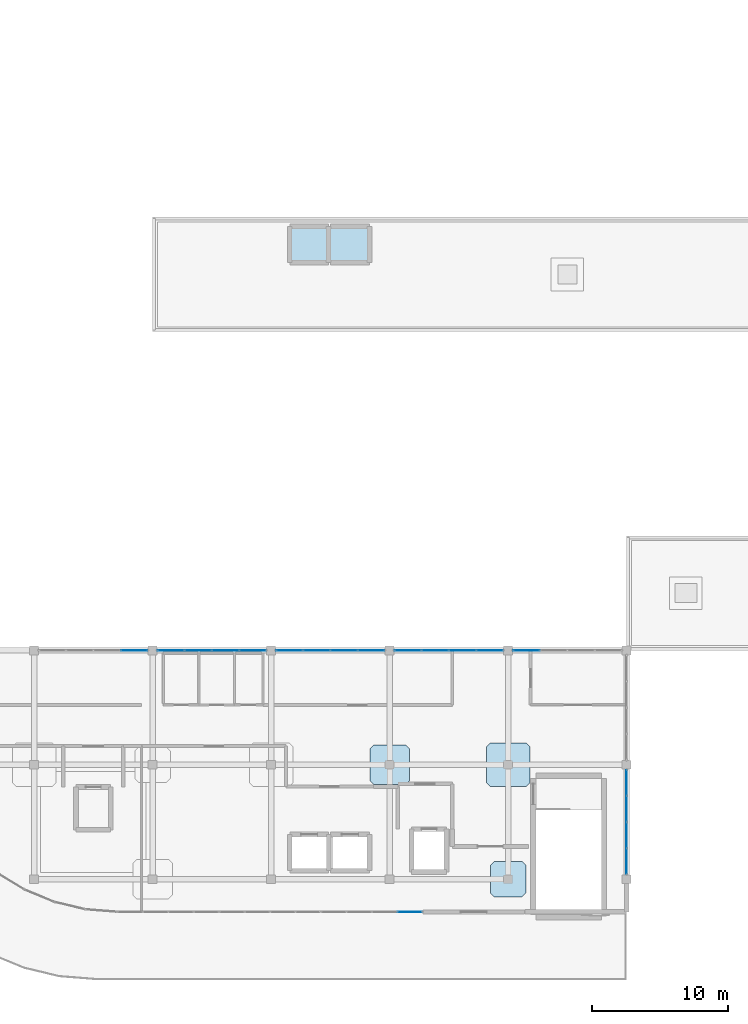
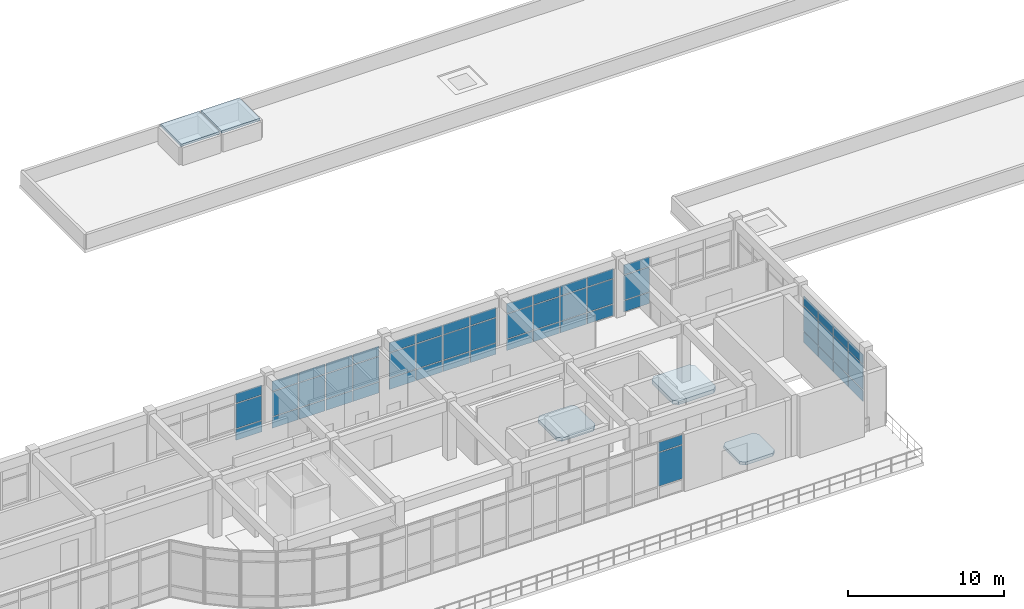
# One storey, part 33 of 41: 56 plates, 5 slabs, 7 elements without a shape of their own.
"""IFC4 building model written with IfcOpenShell, lengths in metres."""

from ifc_helpers import new_model, si_unit, derived_unit, direction, frame, origin, origin_2d, place, context, subcontext, project, spatial, polyline, rectangle, outline, extrude, material, layer, layer_set, type_object, element, aggregate, save


model = new_model("IFC4")

# Units and contexts
model_context = context("Model", 3, precision=1e-05, world=origin(), true_north=direction((0.0, 1.0)))
body_context = subcontext(model_context, "Body", "Model", "MODEL_VIEW")
ifc_project = project(units=[si_unit("LENGTHUNIT", "METRE"), si_unit("AREAUNIT", "SQUARE_METRE"), si_unit("VOLUMEUNIT", "CUBIC_METRE"), si_unit("PLANEANGLEUNIT", "RADIAN"), si_unit("MASSUNIT", "GRAM", prefix="KILO"), derived_unit("THERMALTRANSMITTANCEUNIT", [(si_unit("MASSUNIT", "GRAM", prefix="KILO"), 1), (si_unit("TIMEUNIT", "SECOND"), -3), (si_unit("THERMODYNAMICTEMPERATUREUNIT", "KELVIN"), -1)])], contexts=[model_context])

# Site, building, storey
site_placement = place(None, origin())
site = spatial("IfcSite", under=ifc_project, at=site_placement, CompositionType="ELEMENT")
building_placement = place(site_placement, origin())
building = spatial("IfcBuilding", under=site, at=building_placement, Name="Qinzheling Arcade Emporium", CompositionType="ELEMENT")
storey_placement = place(building_placement, frame((0.0, 0.0, 36.300048828125)))
storey = spatial("IfcBuildingStorey", under=building, at=storey_placement, Name="L08", CompositionType="ELEMENT", Elevation=36.300048828125)

# Slabs
ifc_material_1 = material(Name="Concrete C40", Category="concrete")
ifc_layer_1 = layer(ifc_material_1, 0.235107421875, Name="Concrete C40", Category="concrete")
ifc_layer_set_1 = layer_set([ifc_layer_1], Name="Concrete C40")
slab_type_1 = type_object("IfcSlabType", Name="Column Head Drop Panel 2600x2600x235 C40", PredefinedType="USERDEFINED", material=ifc_layer_set_1)
slab_1_placement = place(storey_placement, frame((0.0, 0.0, -0.51513671875)))
element("IfcSlab", 1, at=slab_1_placement, inside=storey, type_object=slab_type_1, Name="Column Drop Panel DP-L08-8-D", ObjectType="DROP_PANEL", PredefinedType="USERDEFINED", context=body_context, shape_type="SweptSolid", body=[
    extrude(outline(polyline([(59.8798828125, 23.89990234375), (61.919921875, 23.89990234375), (62.199951171875, 24.179931640625), (62.199951171875, 26.219970703125), (61.919921875, 26.5), (59.8798828125, 26.5), (59.60009765625, 26.219970703125), (59.60009765625, 24.179931640625), (59.8798828125, 23.89990234375)])), origin(), (0.0, 0.0, 1.0), 0.235107421875),
])
ifc_layer_2 = layer(ifc_material_1, 0.27001953125, Name="Concrete C40", Category="concrete")
ifc_layer_set_2 = layer_set([ifc_layer_2], Name="Concrete C40")
slab_type_2 = type_object("IfcSlabType", Name="Column Head Drop Panel 2900x2900x270 C40", PredefinedType="USERDEFINED", material=ifc_layer_set_2)
slab_2_placement = place(storey_placement, frame((0.0, 0.0, -0.550048828125)))
element("IfcSlab", 2, at=slab_2_placement, inside=storey, type_object=slab_type_2, Name="Column Drop Panel DP-L08-7-E", ObjectType="DROP_PANEL", PredefinedType="USERDEFINED", context=body_context, shape_type="SweptSolid", body=[
    extrude(outline(polyline([(51.030029296875, 32.14990234375), (53.3701171875, 32.14990234375), (53.64990234375, 32.429931640625), (53.64990234375, 34.77001953125), (53.3701171875, 35.050048828125), (51.030029296875, 35.050048828125), (50.75, 34.77001953125), (50.75, 32.429931640625), (51.030029296875, 32.14990234375)])), origin(), (0.0, 0.0, 1.0), 0.27001953125),
])
ifc_layer_3 = layer(ifc_material_1, 0.300048828125, Name="Concrete C40", Category="concrete")
ifc_layer_set_3 = layer_set([ifc_layer_3], Name="Concrete C40")
slab_type_3 = type_object("IfcSlabType", Name="Column Head Drop Panel 3200x3200x300 C40", PredefinedType="USERDEFINED", material=ifc_layer_set_3)
slab_3_placement = place(storey_placement, frame((0.0, 0.0, -0.580078125)))
element("IfcSlab", 3, at=slab_3_placement, inside=storey, type_object=slab_type_3, Name="Column Drop Panel DP-L08-8-E", ObjectType="DROP_PANEL", PredefinedType="USERDEFINED", context=body_context, shape_type="SweptSolid", body=[
    extrude(outline(polyline([(59.580078125, 32.0), (62.219970703125, 32.0), (62.5, 32.280029296875), (62.5, 34.919921875), (62.219970703125, 35.199951171875), (59.580078125, 35.199951171875), (59.300048828125, 34.919921875), (59.300048828125, 32.280029296875), (59.580078125, 32.0)])), origin(), (0.0, 0.0, 1.0), 0.300048828125),
])
ifc_layer_4 = layer(ifc_material_1, 0.18994140625, Name="Concrete C40", Category="concrete")
ifc_layer_set_4 = layer_set([ifc_layer_4], Name="Concrete C40")
slab_type_4 = type_object("IfcSlabType", Name="Lift Overrun Roof Slab 190 C40", PredefinedType="ROOF", material=ifc_layer_set_4)
slab_4_placement = place(storey_placement, frame((0.0, 0.0, 1.5)))
element("IfcSlab", 4, at=slab_4_placement, inside=storey, type_object=slab_type_4, Name="Lift Overrun Roof SLB-OVR-LP03", PredefinedType="ROOF", context=body_context, shape_type="SweptSolid", body=[
    extrude(outline(polyline([(44.875, 70.47509765625), (47.72509765625, 70.47509765625), (47.72509765625, 73.125), (44.875, 73.125), (44.875, 70.47509765625)])), origin(), (0.0, 0.0, 1.0), 0.18994140625),
])
slab_5_placement = place(storey_placement, frame((0.0, 0.0, 1.5)))
element("IfcSlab", 5, at=slab_5_placement, inside=storey, type_object=slab_type_4, Name="Lift Overrun Roof SLB-OVR-LP04", PredefinedType="ROOF", context=body_context, shape_type="SweptSolid", body=[
    extrude(outline(polyline([(47.875, 70.47509765625), (50.72509765625, 70.47509765625), (50.72509765625, 73.125), (47.875, 73.125), (47.875, 70.47509765625)])), origin(), (0.0, 0.0, 1.0), 0.18994140625),
])

# Curtain wall, plates
ifc_material_2 = material(Name="Anodised aluminium and solar-control double glazing", Category="aluminium")
ifc_layer_5 = layer(ifc_material_2, 0.159912109375, Name="Anodised aluminium and solar-control double glazing", Category="aluminium")
ifc_layer_set_5 = layer_set([ifc_layer_5], Name="Anodised aluminium and solar-control double glazing")
curtain_wall_type_1 = type_object("IfcCurtainWallType", Name="Atrium Clerestory Curtain Wall", PredefinedType="NOTDEFINED", material=ifc_layer_set_5)
curtain_wall_1_placement = place(storey_placement, origin())
curtain_wall_1 = element("IfcCurtainWall", 6, at=curtain_wall_1_placement, inside=storey, type_object=curtain_wall_type_1, Name="Curtain Wall CW-L08-463", PredefinedType="NOTDEFINED")
ifc_material_3 = material(Name="Laminated solar-control double glazing", Category="glass")
ifc_layer_6 = layer(ifc_material_3, 0.028076171875, Name="Laminated solar-control double glazing", Category="glass")
ifc_layer_set_6 = layer_set([ifc_layer_6], Name="Laminated solar-control double glazing")
plate_type_1 = type_object("IfcPlateType", Name="Low-E Double Glazed Curtain Panel 28mm", PredefinedType="CURTAIN_PANEL", material=ifc_layer_set_6)
plate_1_placement = place(storey_placement, frame((33.4521484375, 42.0, 0.06005859375), z_axis=(0.0, 0.0, 1.0), x_axis=(1.0, 0.0, 0.0)))
plate_1 = element("IfcPlate", 7, at=plate_1_placement, type_object=plate_type_1, Name="CW03 panel 4.1", PredefinedType="CURTAIN_PANEL", context=body_context, shape_type="SweptSolid", body=[
    extrude(rectangle(XDim=1.92138671875, YDim=0.028076171875, at=origin_2d()), origin(), (0.0, 0.0, 1.0), 0.860107421875),
])
plate_2_placement = place(storey_placement, frame((33.4521484375, 42.0, 0.97998046875), z_axis=(0.0, 0.0, 1.0), x_axis=(1.0, 0.0, 0.0)))
plate_2 = element("IfcPlate", 8, at=plate_2_placement, type_object=plate_type_1, Name="CW03 panel 4.2", PredefinedType="CURTAIN_PANEL", context=body_context, shape_type="SweptSolid", body=[
    extrude(rectangle(XDim=1.92138671875, YDim=0.028076171875, at=origin_2d()), origin(), (0.0, 0.0, 1.0), 1.93505859375),
])
plate_3_placement = place(storey_placement, frame((33.4521484375, 42.0, 2.97509765625), z_axis=(0.0, 0.0, 1.0), x_axis=(1.0, 0.0, 0.0)))
plate_3 = element("IfcPlate", 9, at=plate_3_placement, type_object=plate_type_1, Name="CW03 panel 4.3", PredefinedType="CURTAIN_PANEL", context=body_context, shape_type="SweptSolid", body=[
    extrude(rectangle(XDim=1.92138671875, YDim=0.028076171875, at=origin_2d()), origin(), (0.0, 0.0, 1.0), 0.760009765625),
])
aggregate(curtain_wall_1, [plate_1, plate_2, plate_3])

curtain_wall_2_placement = place(storey_placement, origin())
curtain_wall_2 = element("IfcCurtainWall", 10, at=curtain_wall_2_placement, inside=storey, type_object=curtain_wall_type_1, Name="Curtain Wall CW-L08-464", PredefinedType="NOTDEFINED")
ifc_layer_7 = layer(ifc_material_3, 0.029052734375, Name="Laminated solar-control double glazing", Category="glass")
ifc_layer_set_7 = layer_set([ifc_layer_7], Name="Laminated solar-control double glazing")
plate_type_2 = type_object("IfcPlateType", Name="Low-E Double Glazed Curtain Panel 29mm", PredefinedType="CURTAIN_PANEL", material=ifc_layer_set_7)
plate_4_placement = place(storey_placement, frame((36.147705078125, 42.0, 0.06005859375), z_axis=(0.0, 0.0, 1.0), x_axis=(1.0, 0.0, 0.0)))
plate_4 = element("IfcPlate", 11, at=plate_4_placement, type_object=plate_type_2, Name="CW03 panel 1.1", PredefinedType="CURTAIN_PANEL", context=body_context, shape_type="SweptSolid", body=[
    extrude(rectangle(XDim=1.92138671875, YDim=0.029052734375, at=origin_2d()), origin(), (0.0, 0.0, 1.0), 0.860107421875),
])
plate_5_placement = place(storey_placement, frame((36.147705078125, 42.0, 0.97998046875), z_axis=(0.0, 0.0, 1.0), x_axis=(1.0, 0.0, 0.0)))
plate_5 = element("IfcPlate", 12, at=plate_5_placement, type_object=plate_type_2, Name="CW03 panel 1.2", PredefinedType="CURTAIN_PANEL", context=body_context, shape_type="SweptSolid", body=[
    extrude(rectangle(XDim=1.92138671875, YDim=0.029052734375, at=origin_2d()), origin(), (0.0, 0.0, 1.0), 1.93505859375),
])
plate_6_placement = place(storey_placement, frame((36.147705078125, 42.0, 2.97509765625), z_axis=(0.0, 0.0, 1.0), x_axis=(1.0, 0.0, 0.0)))
plate_6 = element("IfcPlate", 13, at=plate_6_placement, type_object=plate_type_2, Name="CW03 panel 1.3", PredefinedType="CURTAIN_PANEL", context=body_context, shape_type="SweptSolid", body=[
    extrude(rectangle(XDim=1.92138671875, YDim=0.029052734375, at=origin_2d()), origin(), (0.0, 0.0, 1.0), 0.760009765625),
])
plate_7_placement = place(storey_placement, frame((38.144287109375, 42.0, 0.06005859375), z_axis=(0.0, 0.0, 1.0), x_axis=(1.0, 0.0, 0.0)))
plate_7 = element("IfcPlate", 14, at=plate_7_placement, type_object=plate_type_2, Name="CW03 panel 2.1", PredefinedType="CURTAIN_PANEL", context=body_context, shape_type="SweptSolid", body=[
    extrude(rectangle(XDim=1.951416015625, YDim=0.029052734375, at=origin_2d()), origin(), (0.0, 0.0, 1.0), 0.860107421875),
])
plate_8_placement = place(storey_placement, frame((38.144287109375, 42.0, 0.97998046875), z_axis=(0.0, 0.0, 1.0), x_axis=(1.0, 0.0, 0.0)))
plate_8 = element("IfcPlate", 15, at=plate_8_placement, type_object=plate_type_2, Name="CW03 panel 2.2", PredefinedType="CURTAIN_PANEL", context=body_context, shape_type="SweptSolid", body=[
    extrude(rectangle(XDim=1.951416015625, YDim=0.029052734375, at=origin_2d()), origin(), (0.0, 0.0, 1.0), 1.93505859375),
])
plate_9_placement = place(storey_placement, frame((38.144287109375, 42.0, 2.97509765625), z_axis=(0.0, 0.0, 1.0), x_axis=(1.0, 0.0, 0.0)))
plate_9 = element("IfcPlate", 16, at=plate_9_placement, type_object=plate_type_2, Name="CW03 panel 2.3", PredefinedType="CURTAIN_PANEL", context=body_context, shape_type="SweptSolid", body=[
    extrude(rectangle(XDim=1.951416015625, YDim=0.029052734375, at=origin_2d()), origin(), (0.0, 0.0, 1.0), 0.760009765625),
])
plate_10_placement = place(storey_placement, frame((40.15576171875, 42.0, 0.06005859375), z_axis=(0.0, 0.0, 1.0), x_axis=(1.0, 0.0, 0.0)))
plate_10 = element("IfcPlate", 17, at=plate_10_placement, type_object=plate_type_2, Name="CW03 panel 3.1", PredefinedType="CURTAIN_PANEL", context=body_context, shape_type="SweptSolid", body=[
    extrude(rectangle(XDim=1.951416015625, YDim=0.029052734375, at=origin_2d()), origin(), (0.0, 0.0, 1.0), 0.860107421875),
])
plate_11_placement = place(storey_placement, frame((40.15576171875, 42.0, 0.97998046875), z_axis=(0.0, 0.0, 1.0), x_axis=(1.0, 0.0, 0.0)))
plate_11 = element("IfcPlate", 18, at=plate_11_placement, type_object=plate_type_2, Name="CW03 panel 3.2", PredefinedType="CURTAIN_PANEL", context=body_context, shape_type="SweptSolid", body=[
    extrude(rectangle(XDim=1.951416015625, YDim=0.029052734375, at=origin_2d()), origin(), (0.0, 0.0, 1.0), 1.93505859375),
])
plate_12_placement = place(storey_placement, frame((40.15576171875, 42.0, 2.97509765625), z_axis=(0.0, 0.0, 1.0), x_axis=(1.0, 0.0, 0.0)))
plate_12 = element("IfcPlate", 19, at=plate_12_placement, type_object=plate_type_2, Name="CW03 panel 3.3", PredefinedType="CURTAIN_PANEL", context=body_context, shape_type="SweptSolid", body=[
    extrude(rectangle(XDim=1.951416015625, YDim=0.029052734375, at=origin_2d()), origin(), (0.0, 0.0, 1.0), 0.760009765625),
])
plate_13_placement = place(storey_placement, frame((42.15234375, 42.0, 0.06005859375), z_axis=(0.0, 0.0, 1.0), x_axis=(1.0, 0.0, 0.0)))
plate_13 = element("IfcPlate", 20, at=plate_13_placement, type_object=plate_type_2, Name="CW03 panel 4.1", PredefinedType="CURTAIN_PANEL", context=body_context, shape_type="SweptSolid", body=[
    extrude(rectangle(XDim=1.92138671875, YDim=0.029052734375, at=origin_2d()), origin(), (0.0, 0.0, 1.0), 0.860107421875),
])
plate_14_placement = place(storey_placement, frame((42.15234375, 42.0, 0.97998046875), z_axis=(0.0, 0.0, 1.0), x_axis=(1.0, 0.0, 0.0)))
plate_14 = element("IfcPlate", 21, at=plate_14_placement, type_object=plate_type_2, Name="CW03 panel 4.2", PredefinedType="CURTAIN_PANEL", context=body_context, shape_type="SweptSolid", body=[
    extrude(rectangle(XDim=1.92138671875, YDim=0.029052734375, at=origin_2d()), origin(), (0.0, 0.0, 1.0), 1.93505859375),
])
plate_15_placement = place(storey_placement, frame((42.15234375, 42.0, 2.97509765625), z_axis=(0.0, 0.0, 1.0), x_axis=(1.0, 0.0, 0.0)))
plate_15 = element("IfcPlate", 22, at=plate_15_placement, type_object=plate_type_2, Name="CW03 panel 4.3", PredefinedType="CURTAIN_PANEL", context=body_context, shape_type="SweptSolid", body=[
    extrude(rectangle(XDim=1.92138671875, YDim=0.029052734375, at=origin_2d()), origin(), (0.0, 0.0, 1.0), 0.760009765625),
])
aggregate(curtain_wall_2, [plate_4, plate_5, plate_6, plate_7, plate_8, plate_9, plate_10, plate_11, plate_12, plate_13, plate_14, plate_15])

ifc_layer_8 = layer(ifc_material_2, 0.159912109375, Name="Anodised aluminium and solar-control double glazing", Category="aluminium")
ifc_layer_set_8 = layer_set([ifc_layer_8], Name="Anodised aluminium and solar-control double glazing")
curtain_wall_type_2 = type_object("IfcCurtainWallType", Name="Arcade Portal Glazed Curtain Wall", PredefinedType="NOTDEFINED", material=ifc_layer_set_8)
curtain_wall_3_placement = place(storey_placement, origin())
curtain_wall_3 = element("IfcCurtainWall", 23, at=curtain_wall_3_placement, inside=storey, type_object=curtain_wall_type_2, Name="Curtain Wall CW-L08-449", PredefinedType="NOTDEFINED")
ifc_layer_9 = layer(ifc_material_3, 0.030029296875, Name="Laminated solar-control double glazing", Category="glass")
ifc_layer_set_9 = layer_set([ifc_layer_9], Name="Laminated solar-control double glazing")
plate_type_3 = type_object("IfcPlateType", Name="Low-E Double Glazed Curtain Panel 30mm", PredefinedType="CURTAIN_PANEL", material=ifc_layer_set_9)
plate_16_placement = place(storey_placement, frame((69.60009765625, 32.289794921875, 0.06005859375), z_axis=(0.0, 0.0, 1.0), x_axis=(0.0, -1.0, 0.0)))
plate_16 = element("IfcPlate", 24, at=plate_16_placement, type_object=plate_type_3, Name="CW05 panel 1.1", PredefinedType="CURTAIN_PANEL", context=body_context, shape_type="SweptSolid", body=[
    extrude(rectangle(XDim=1.846435546875, YDim=0.030029296875, at=origin_2d()), origin(), (0.0, 0.0, 1.0), 0.860107421875),
])
plate_17_placement = place(storey_placement, frame((69.60009765625, 32.289794921875, 0.97998046875), z_axis=(0.0, 0.0, 1.0), x_axis=(0.0, -1.0, 0.0)))
plate_17 = element("IfcPlate", 25, at=plate_17_placement, type_object=plate_type_3, Name="CW05 panel 1.2", PredefinedType="CURTAIN_PANEL", context=body_context, shape_type="SweptSolid", body=[
    extrude(rectangle(XDim=1.846435546875, YDim=0.030029296875, at=origin_2d()), origin(), (0.0, 0.0, 1.0), 1.93505859375),
])
plate_18_placement = place(storey_placement, frame((69.60009765625, 32.289794921875, 2.97509765625), z_axis=(0.0, 0.0, 1.0), x_axis=(0.0, -1.0, 0.0)))
plate_18 = element("IfcPlate", 26, at=plate_18_placement, type_object=plate_type_3, Name="CW05 panel 1.3", PredefinedType="CURTAIN_PANEL", context=body_context, shape_type="SweptSolid", body=[
    extrude(rectangle(XDim=1.846435546875, YDim=0.030029296875, at=origin_2d()), origin(), (0.0, 0.0, 1.0), 0.760009765625),
])
plate_19_placement = place(storey_placement, frame((69.60009765625, 30.3681640625, 0.06005859375), z_axis=(0.0, 0.0, 1.0), x_axis=(0.0, -1.0, 0.0)))
plate_19 = element("IfcPlate", 27, at=plate_19_placement, type_object=plate_type_3, Name="CW05 panel 2.1", PredefinedType="CURTAIN_PANEL", context=body_context, shape_type="SweptSolid", body=[
    extrude(rectangle(XDim=1.87646484375, YDim=0.030029296875, at=origin_2d()), origin(), (0.0, 0.0, 1.0), 0.860107421875),
])
plate_20_placement = place(storey_placement, frame((69.60009765625, 30.3681640625, 0.97998046875), z_axis=(0.0, 0.0, 1.0), x_axis=(0.0, -1.0, 0.0)))
plate_20 = element("IfcPlate", 28, at=plate_20_placement, type_object=plate_type_3, Name="CW05 panel 2.2", PredefinedType="CURTAIN_PANEL", context=body_context, shape_type="SweptSolid", body=[
    extrude(rectangle(XDim=1.87646484375, YDim=0.030029296875, at=origin_2d()), origin(), (0.0, 0.0, 1.0), 1.93505859375),
])
plate_21_placement = place(storey_placement, frame((69.60009765625, 30.3681640625, 2.97509765625), z_axis=(0.0, 0.0, 1.0), x_axis=(0.0, -1.0, 0.0)))
plate_21 = element("IfcPlate", 29, at=plate_21_placement, type_object=plate_type_3, Name="CW05 panel 2.3", PredefinedType="CURTAIN_PANEL", context=body_context, shape_type="SweptSolid", body=[
    extrude(rectangle(XDim=1.87646484375, YDim=0.030029296875, at=origin_2d()), origin(), (0.0, 0.0, 1.0), 0.760009765625),
])
plate_22_placement = place(storey_placement, frame((69.60009765625, 28.431640625, 0.06005859375), z_axis=(0.0, 0.0, 1.0), x_axis=(0.0, -1.0, 0.0)))
plate_22 = element("IfcPlate", 30, at=plate_22_placement, type_object=plate_type_3, Name="CW05 panel 3.1", PredefinedType="CURTAIN_PANEL", context=body_context, shape_type="SweptSolid", body=[
    extrude(rectangle(XDim=1.87646484375, YDim=0.030029296875, at=origin_2d()), origin(), (0.0, 0.0, 1.0), 0.860107421875),
])
plate_23_placement = place(storey_placement, frame((69.60009765625, 28.431640625, 0.97998046875), z_axis=(0.0, 0.0, 1.0), x_axis=(0.0, -1.0, 0.0)))
plate_23 = element("IfcPlate", 31, at=plate_23_placement, type_object=plate_type_3, Name="CW05 panel 3.2", PredefinedType="CURTAIN_PANEL", context=body_context, shape_type="SweptSolid", body=[
    extrude(rectangle(XDim=1.87646484375, YDim=0.030029296875, at=origin_2d()), origin(), (0.0, 0.0, 1.0), 1.93505859375),
])
plate_24_placement = place(storey_placement, frame((69.60009765625, 28.431640625, 2.97509765625), z_axis=(0.0, 0.0, 1.0), x_axis=(0.0, -1.0, 0.0)))
plate_24 = element("IfcPlate", 32, at=plate_24_placement, type_object=plate_type_3, Name="CW05 panel 3.3", PredefinedType="CURTAIN_PANEL", context=body_context, shape_type="SweptSolid", body=[
    extrude(rectangle(XDim=1.87646484375, YDim=0.030029296875, at=origin_2d()), origin(), (0.0, 0.0, 1.0), 0.760009765625),
])
plate_25_placement = place(storey_placement, frame((69.60009765625, 26.51025390625, 0.06005859375), z_axis=(0.0, 0.0, 1.0), x_axis=(0.0, -1.0, 0.0)))
plate_25 = element("IfcPlate", 33, at=plate_25_placement, type_object=plate_type_3, Name="CW05 panel 4.1", PredefinedType="CURTAIN_PANEL", context=body_context, shape_type="SweptSolid", body=[
    extrude(rectangle(XDim=1.846435546875, YDim=0.030029296875, at=origin_2d()), origin(), (0.0, 0.0, 1.0), 0.860107421875),
])
plate_26_placement = place(storey_placement, frame((69.60009765625, 26.51025390625, 0.97998046875), z_axis=(0.0, 0.0, 1.0), x_axis=(0.0, -1.0, 0.0)))
plate_26 = element("IfcPlate", 34, at=plate_26_placement, type_object=plate_type_3, Name="CW05 panel 4.2", PredefinedType="CURTAIN_PANEL", context=body_context, shape_type="SweptSolid", body=[
    extrude(rectangle(XDim=1.846435546875, YDim=0.030029296875, at=origin_2d()), origin(), (0.0, 0.0, 1.0), 1.93505859375),
])
plate_27_placement = place(storey_placement, frame((69.60009765625, 26.51025390625, 2.97509765625), z_axis=(0.0, 0.0, 1.0), x_axis=(0.0, -1.0, 0.0)))
plate_27 = element("IfcPlate", 35, at=plate_27_placement, type_object=plate_type_3, Name="CW05 panel 4.3", PredefinedType="CURTAIN_PANEL", context=body_context, shape_type="SweptSolid", body=[
    extrude(rectangle(XDim=1.846435546875, YDim=0.030029296875, at=origin_2d()), origin(), (0.0, 0.0, 1.0), 0.760009765625),
])
aggregate(curtain_wall_3, [plate_16, plate_17, plate_18, plate_19, plate_20, plate_21, plate_22, plate_23, plate_24, plate_25, plate_26, plate_27])

curtain_wall_4_placement = place(storey_placement, origin())
curtain_wall_4 = element("IfcCurtainWall", 36, at=curtain_wall_4_placement, inside=storey, type_object=curtain_wall_type_1, Name="Curtain Wall CW-L08-465", PredefinedType="NOTDEFINED")
plate_28_placement = place(storey_placement, frame((44.84765625, 42.0, 0.06005859375), z_axis=(0.0, 0.0, 1.0), x_axis=(1.0, 0.0, 0.0)))
plate_28 = element("IfcPlate", 37, at=plate_28_placement, type_object=plate_type_3, Name="CW03 panel 1.1", PredefinedType="CURTAIN_PANEL", context=body_context, shape_type="SweptSolid", body=[
    extrude(rectangle(XDim=1.92138671875, YDim=0.030029296875, at=origin_2d()), origin(), (0.0, 0.0, 1.0), 0.860107421875),
])
plate_29_placement = place(storey_placement, frame((44.84765625, 42.0, 0.97998046875), z_axis=(0.0, 0.0, 1.0), x_axis=(1.0, 0.0, 0.0)))
plate_29 = element("IfcPlate", 38, at=plate_29_placement, type_object=plate_type_3, Name="CW03 panel 1.2", PredefinedType="CURTAIN_PANEL", context=body_context, shape_type="SweptSolid", body=[
    extrude(rectangle(XDim=1.92138671875, YDim=0.030029296875, at=origin_2d()), origin(), (0.0, 0.0, 1.0), 1.93505859375),
])
plate_30_placement = place(storey_placement, frame((44.84765625, 42.0, 2.97509765625), z_axis=(0.0, 0.0, 1.0), x_axis=(1.0, 0.0, 0.0)))
plate_30 = element("IfcPlate", 39, at=plate_30_placement, type_object=plate_type_3, Name="CW03 panel 1.3", PredefinedType="CURTAIN_PANEL", context=body_context, shape_type="SweptSolid", body=[
    extrude(rectangle(XDim=1.92138671875, YDim=0.030029296875, at=origin_2d()), origin(), (0.0, 0.0, 1.0), 0.760009765625),
])
plate_31_placement = place(storey_placement, frame((46.84423828125, 42.0, 0.06005859375), z_axis=(0.0, 0.0, 1.0), x_axis=(1.0, 0.0, 0.0)))
plate_31 = element("IfcPlate", 40, at=plate_31_placement, type_object=plate_type_3, Name="CW03 panel 2.1", PredefinedType="CURTAIN_PANEL", context=body_context, shape_type="SweptSolid", body=[
    extrude(rectangle(XDim=1.951416015625, YDim=0.030029296875, at=origin_2d()), origin(), (0.0, 0.0, 1.0), 0.860107421875),
])
plate_32_placement = place(storey_placement, frame((46.84423828125, 42.0, 0.97998046875), z_axis=(0.0, 0.0, 1.0), x_axis=(1.0, 0.0, 0.0)))
plate_32 = element("IfcPlate", 41, at=plate_32_placement, type_object=plate_type_3, Name="CW03 panel 2.2", PredefinedType="CURTAIN_PANEL", context=body_context, shape_type="SweptSolid", body=[
    extrude(rectangle(XDim=1.951416015625, YDim=0.030029296875, at=origin_2d()), origin(), (0.0, 0.0, 1.0), 1.93505859375),
])
plate_33_placement = place(storey_placement, frame((46.84423828125, 42.0, 2.97509765625), z_axis=(0.0, 0.0, 1.0), x_axis=(1.0, 0.0, 0.0)))
plate_33 = element("IfcPlate", 42, at=plate_33_placement, type_object=plate_type_3, Name="CW03 panel 2.3", PredefinedType="CURTAIN_PANEL", context=body_context, shape_type="SweptSolid", body=[
    extrude(rectangle(XDim=1.951416015625, YDim=0.030029296875, at=origin_2d()), origin(), (0.0, 0.0, 1.0), 0.760009765625),
])
plate_34_placement = place(storey_placement, frame((48.855712890625, 42.0, 0.06005859375), z_axis=(0.0, 0.0, 1.0), x_axis=(1.0, 0.0, 0.0)))
plate_34 = element("IfcPlate", 43, at=plate_34_placement, type_object=plate_type_3, Name="CW03 panel 3.1", PredefinedType="CURTAIN_PANEL", context=body_context, shape_type="SweptSolid", body=[
    extrude(rectangle(XDim=1.951416015625, YDim=0.030029296875, at=origin_2d()), origin(), (0.0, 0.0, 1.0), 0.860107421875),
])
plate_35_placement = place(storey_placement, frame((48.855712890625, 42.0, 0.97998046875), z_axis=(0.0, 0.0, 1.0), x_axis=(1.0, 0.0, 0.0)))
plate_35 = element("IfcPlate", 44, at=plate_35_placement, type_object=plate_type_3, Name="CW03 panel 3.2", PredefinedType="CURTAIN_PANEL", context=body_context, shape_type="SweptSolid", body=[
    extrude(rectangle(XDim=1.951416015625, YDim=0.030029296875, at=origin_2d()), origin(), (0.0, 0.0, 1.0), 1.93505859375),
])
plate_36_placement = place(storey_placement, frame((48.855712890625, 42.0, 2.97509765625), z_axis=(0.0, 0.0, 1.0), x_axis=(1.0, 0.0, 0.0)))
plate_36 = element("IfcPlate", 45, at=plate_36_placement, type_object=plate_type_3, Name="CW03 panel 3.3", PredefinedType="CURTAIN_PANEL", context=body_context, shape_type="SweptSolid", body=[
    extrude(rectangle(XDim=1.951416015625, YDim=0.030029296875, at=origin_2d()), origin(), (0.0, 0.0, 1.0), 0.760009765625),
])
plate_37_placement = place(storey_placement, frame((50.852294921875, 42.0, 0.06005859375), z_axis=(0.0, 0.0, 1.0), x_axis=(1.0, 0.0, 0.0)))
plate_37 = element("IfcPlate", 46, at=plate_37_placement, type_object=plate_type_3, Name="CW03 panel 4.1", PredefinedType="CURTAIN_PANEL", context=body_context, shape_type="SweptSolid", body=[
    extrude(rectangle(XDim=1.92138671875, YDim=0.030029296875, at=origin_2d()), origin(), (0.0, 0.0, 1.0), 0.860107421875),
])
plate_38_placement = place(storey_placement, frame((50.852294921875, 42.0, 0.97998046875), z_axis=(0.0, 0.0, 1.0), x_axis=(1.0, 0.0, 0.0)))
plate_38 = element("IfcPlate", 47, at=plate_38_placement, type_object=plate_type_3, Name="CW03 panel 4.2", PredefinedType="CURTAIN_PANEL", context=body_context, shape_type="SweptSolid", body=[
    extrude(rectangle(XDim=1.92138671875, YDim=0.030029296875, at=origin_2d()), origin(), (0.0, 0.0, 1.0), 1.93505859375),
])
plate_39_placement = place(storey_placement, frame((50.852294921875, 42.0, 2.97509765625), z_axis=(0.0, 0.0, 1.0), x_axis=(1.0, 0.0, 0.0)))
plate_39 = element("IfcPlate", 48, at=plate_39_placement, type_object=plate_type_3, Name="CW03 panel 4.3", PredefinedType="CURTAIN_PANEL", context=body_context, shape_type="SweptSolid", body=[
    extrude(rectangle(XDim=1.92138671875, YDim=0.030029296875, at=origin_2d()), origin(), (0.0, 0.0, 1.0), 0.760009765625),
])
aggregate(curtain_wall_4, [plate_28, plate_29, plate_30, plate_31, plate_32, plate_33, plate_34, plate_35, plate_36, plate_37, plate_38, plate_39])

curtain_wall_5_placement = place(storey_placement, origin())
curtain_wall_5 = element("IfcCurtainWall", 49, at=curtain_wall_5_placement, inside=storey, type_object=curtain_wall_type_2, Name="Curtain Wall CW-L08-450", PredefinedType="NOTDEFINED")
ifc_layer_10 = layer(ifc_material_3, 0.031005859375, Name="Laminated solar-control double glazing", Category="glass")
ifc_layer_set_10 = layer_set([ifc_layer_10], Name="Laminated solar-control double glazing")
plate_type_4 = type_object("IfcPlateType", Name="Low-E Double Glazed Curtain Panel 31mm", PredefinedType="CURTAIN_PANEL", material=ifc_layer_set_10)
plate_40_placement = place(storey_placement, frame((53.6884765625, 22.800048828125, 0.97998046875), z_axis=(0.0, 0.0, 1.0), x_axis=(-1.0, 0.0, 0.0)))
plate_40 = element("IfcPlate", 50, at=plate_40_placement, type_object=plate_type_4, Name="CW05 panel 1.2", PredefinedType="CURTAIN_PANEL", context=body_context, shape_type="SweptSolid", body=[
    extrude(rectangle(XDim=1.779052734375, YDim=0.031005859375, at=origin_2d()), origin(), (0.0, 0.0, 1.0), 2.6298828125),
])
plate_41_placement = place(storey_placement, frame((53.6884765625, 22.800048828125, 3.669921875), z_axis=(0.0, 0.0, 1.0), x_axis=(-1.0, 0.0, 0.0)))
plate_41 = element("IfcPlate", 51, at=plate_41_placement, type_object=plate_type_4, Name="CW05 panel 1.3", PredefinedType="CURTAIN_PANEL", context=body_context, shape_type="SweptSolid", body=[
    extrude(rectangle(XDim=1.779052734375, YDim=0.031005859375, at=origin_2d()), origin(), (0.0, 0.0, 1.0), 0.760009765625),
])
aggregate(curtain_wall_5, [plate_40, plate_41])

curtain_wall_6_placement = place(storey_placement, origin())
curtain_wall_6 = element("IfcCurtainWall", 52, at=curtain_wall_6_placement, inside=storey, type_object=curtain_wall_type_1, Name="Curtain Wall CW-L08-466", PredefinedType="NOTDEFINED")
plate_42_placement = place(storey_placement, frame((53.5478515625, 42.0, 0.06005859375), z_axis=(0.0, 0.0, 1.0), x_axis=(1.0, 0.0, 0.0)))
plate_42 = element("IfcPlate", 53, at=plate_42_placement, type_object=plate_type_4, Name="CW03 panel 1.1", PredefinedType="CURTAIN_PANEL", context=body_context, shape_type="SweptSolid", body=[
    extrude(rectangle(XDim=1.92138671875, YDim=0.031005859375, at=origin_2d()), origin(), (0.0, 0.0, 1.0), 0.860107421875),
])
plate_43_placement = place(storey_placement, frame((53.5478515625, 42.0, 0.97998046875), z_axis=(0.0, 0.0, 1.0), x_axis=(1.0, 0.0, 0.0)))
plate_43 = element("IfcPlate", 54, at=plate_43_placement, type_object=plate_type_4, Name="CW03 panel 1.2", PredefinedType="CURTAIN_PANEL", context=body_context, shape_type="SweptSolid", body=[
    extrude(rectangle(XDim=1.92138671875, YDim=0.031005859375, at=origin_2d()), origin(), (0.0, 0.0, 1.0), 1.93505859375),
])
plate_44_placement = place(storey_placement, frame((53.5478515625, 42.0, 2.97509765625), z_axis=(0.0, 0.0, 1.0), x_axis=(1.0, 0.0, 0.0)))
plate_44 = element("IfcPlate", 55, at=plate_44_placement, type_object=plate_type_4, Name="CW03 panel 1.3", PredefinedType="CURTAIN_PANEL", context=body_context, shape_type="SweptSolid", body=[
    extrude(rectangle(XDim=1.92138671875, YDim=0.031005859375, at=origin_2d()), origin(), (0.0, 0.0, 1.0), 0.760009765625),
])
plate_45_placement = place(storey_placement, frame((55.544189453125, 42.0, 0.06005859375), z_axis=(0.0, 0.0, 1.0), x_axis=(1.0, 0.0, 0.0)))
plate_45 = element("IfcPlate", 56, at=plate_45_placement, type_object=plate_type_4, Name="CW03 panel 2.1", PredefinedType="CURTAIN_PANEL", context=body_context, shape_type="SweptSolid", body=[
    extrude(rectangle(XDim=1.951416015625, YDim=0.031005859375, at=origin_2d()), origin(), (0.0, 0.0, 1.0), 0.860107421875),
])
plate_46_placement = place(storey_placement, frame((55.544189453125, 42.0, 0.97998046875), z_axis=(0.0, 0.0, 1.0), x_axis=(1.0, 0.0, 0.0)))
plate_46 = element("IfcPlate", 57, at=plate_46_placement, type_object=plate_type_4, Name="CW03 panel 2.2", PredefinedType="CURTAIN_PANEL", context=body_context, shape_type="SweptSolid", body=[
    extrude(rectangle(XDim=1.951416015625, YDim=0.031005859375, at=origin_2d()), origin(), (0.0, 0.0, 1.0), 1.93505859375),
])
plate_47_placement = place(storey_placement, frame((55.544189453125, 42.0, 2.97509765625), z_axis=(0.0, 0.0, 1.0), x_axis=(1.0, 0.0, 0.0)))
plate_47 = element("IfcPlate", 58, at=plate_47_placement, type_object=plate_type_4, Name="CW03 panel 2.3", PredefinedType="CURTAIN_PANEL", context=body_context, shape_type="SweptSolid", body=[
    extrude(rectangle(XDim=1.951416015625, YDim=0.031005859375, at=origin_2d()), origin(), (0.0, 0.0, 1.0), 0.760009765625),
])
plate_48_placement = place(storey_placement, frame((57.5556640625, 42.0, 0.06005859375), z_axis=(0.0, 0.0, 1.0), x_axis=(1.0, 0.0, 0.0)))
plate_48 = element("IfcPlate", 59, at=plate_48_placement, type_object=plate_type_4, Name="CW03 panel 3.1", PredefinedType="CURTAIN_PANEL", context=body_context, shape_type="SweptSolid", body=[
    extrude(rectangle(XDim=1.951416015625, YDim=0.031005859375, at=origin_2d()), origin(), (0.0, 0.0, 1.0), 0.860107421875),
])
plate_49_placement = place(storey_placement, frame((57.5556640625, 42.0, 0.97998046875), z_axis=(0.0, 0.0, 1.0), x_axis=(1.0, 0.0, 0.0)))
plate_49 = element("IfcPlate", 60, at=plate_49_placement, type_object=plate_type_4, Name="CW03 panel 3.2", PredefinedType="CURTAIN_PANEL", context=body_context, shape_type="SweptSolid", body=[
    extrude(rectangle(XDim=1.951416015625, YDim=0.031005859375, at=origin_2d()), origin(), (0.0, 0.0, 1.0), 1.93505859375),
])
plate_50_placement = place(storey_placement, frame((57.5556640625, 42.0, 2.97509765625), z_axis=(0.0, 0.0, 1.0), x_axis=(1.0, 0.0, 0.0)))
plate_50 = element("IfcPlate", 61, at=plate_50_placement, type_object=plate_type_4, Name="CW03 panel 3.3", PredefinedType="CURTAIN_PANEL", context=body_context, shape_type="SweptSolid", body=[
    extrude(rectangle(XDim=1.951416015625, YDim=0.031005859375, at=origin_2d()), origin(), (0.0, 0.0, 1.0), 0.760009765625),
])
plate_51_placement = place(storey_placement, frame((59.55224609375, 42.0, 0.06005859375), z_axis=(0.0, 0.0, 1.0), x_axis=(1.0, 0.0, 0.0)))
plate_51 = element("IfcPlate", 62, at=plate_51_placement, type_object=plate_type_4, Name="CW03 panel 4.1", PredefinedType="CURTAIN_PANEL", context=body_context, shape_type="SweptSolid", body=[
    extrude(rectangle(XDim=1.92138671875, YDim=0.031005859375, at=origin_2d()), origin(), (0.0, 0.0, 1.0), 0.860107421875),
])
plate_52_placement = place(storey_placement, frame((59.55224609375, 42.0, 0.97998046875), z_axis=(0.0, 0.0, 1.0), x_axis=(1.0, 0.0, 0.0)))
plate_52 = element("IfcPlate", 63, at=plate_52_placement, type_object=plate_type_4, Name="CW03 panel 4.2", PredefinedType="CURTAIN_PANEL", context=body_context, shape_type="SweptSolid", body=[
    extrude(rectangle(XDim=1.92138671875, YDim=0.031005859375, at=origin_2d()), origin(), (0.0, 0.0, 1.0), 1.93505859375),
])
plate_53_placement = place(storey_placement, frame((59.55224609375, 42.0, 2.97509765625), z_axis=(0.0, 0.0, 1.0), x_axis=(1.0, 0.0, 0.0)))
plate_53 = element("IfcPlate", 64, at=plate_53_placement, type_object=plate_type_4, Name="CW03 panel 4.3", PredefinedType="CURTAIN_PANEL", context=body_context, shape_type="SweptSolid", body=[
    extrude(rectangle(XDim=1.92138671875, YDim=0.031005859375, at=origin_2d()), origin(), (0.0, 0.0, 1.0), 0.760009765625),
])
aggregate(curtain_wall_6, [plate_42, plate_43, plate_44, plate_45, plate_46, plate_47, plate_48, plate_49, plate_50, plate_51, plate_52, plate_53])

curtain_wall_7_placement = place(storey_placement, origin())
curtain_wall_7 = element("IfcCurtainWall", 65, at=curtain_wall_7_placement, inside=storey, type_object=curtain_wall_type_1, Name="Curtain Wall CW-L08-467", PredefinedType="NOTDEFINED")
ifc_layer_11 = layer(ifc_material_3, 0.031982421875, Name="Laminated solar-control double glazing", Category="glass")
ifc_layer_set_11 = layer_set([ifc_layer_11], Name="Laminated solar-control double glazing")
plate_type_5 = type_object("IfcPlateType", Name="Low-E Double Glazed Curtain Panel 32mm", PredefinedType="CURTAIN_PANEL", material=ifc_layer_set_11)
plate_54_placement = place(storey_placement, frame((62.247802734375, 42.0, 0.06005859375), z_axis=(0.0, 0.0, 1.0), x_axis=(1.0, 0.0, 0.0)))
plate_54 = element("IfcPlate", 66, at=plate_54_placement, type_object=plate_type_5, Name="CW03 panel 1.1", PredefinedType="CURTAIN_PANEL", context=body_context, shape_type="SweptSolid", body=[
    extrude(rectangle(XDim=1.92138671875, YDim=0.031982421875, at=origin_2d()), origin(), (0.0, 0.0, 1.0), 0.860107421875),
])
plate_55_placement = place(storey_placement, frame((62.247802734375, 42.0, 0.97998046875), z_axis=(0.0, 0.0, 1.0), x_axis=(1.0, 0.0, 0.0)))
plate_55 = element("IfcPlate", 67, at=plate_55_placement, type_object=plate_type_5, Name="CW03 panel 1.2", PredefinedType="CURTAIN_PANEL", context=body_context, shape_type="SweptSolid", body=[
    extrude(rectangle(XDim=1.92138671875, YDim=0.031982421875, at=origin_2d()), origin(), (0.0, 0.0, 1.0), 1.93505859375),
])
plate_56_placement = place(storey_placement, frame((62.247802734375, 42.0, 2.97509765625), z_axis=(0.0, 0.0, 1.0), x_axis=(1.0, 0.0, 0.0)))
plate_56 = element("IfcPlate", 68, at=plate_56_placement, type_object=plate_type_5, Name="CW03 panel 1.3", PredefinedType="CURTAIN_PANEL", context=body_context, shape_type="SweptSolid", body=[
    extrude(rectangle(XDim=1.92138671875, YDim=0.031982421875, at=origin_2d()), origin(), (0.0, 0.0, 1.0), 0.760009765625),
])
aggregate(curtain_wall_7, [plate_54, plate_55, plate_56])

save(model, "model.ifc")
